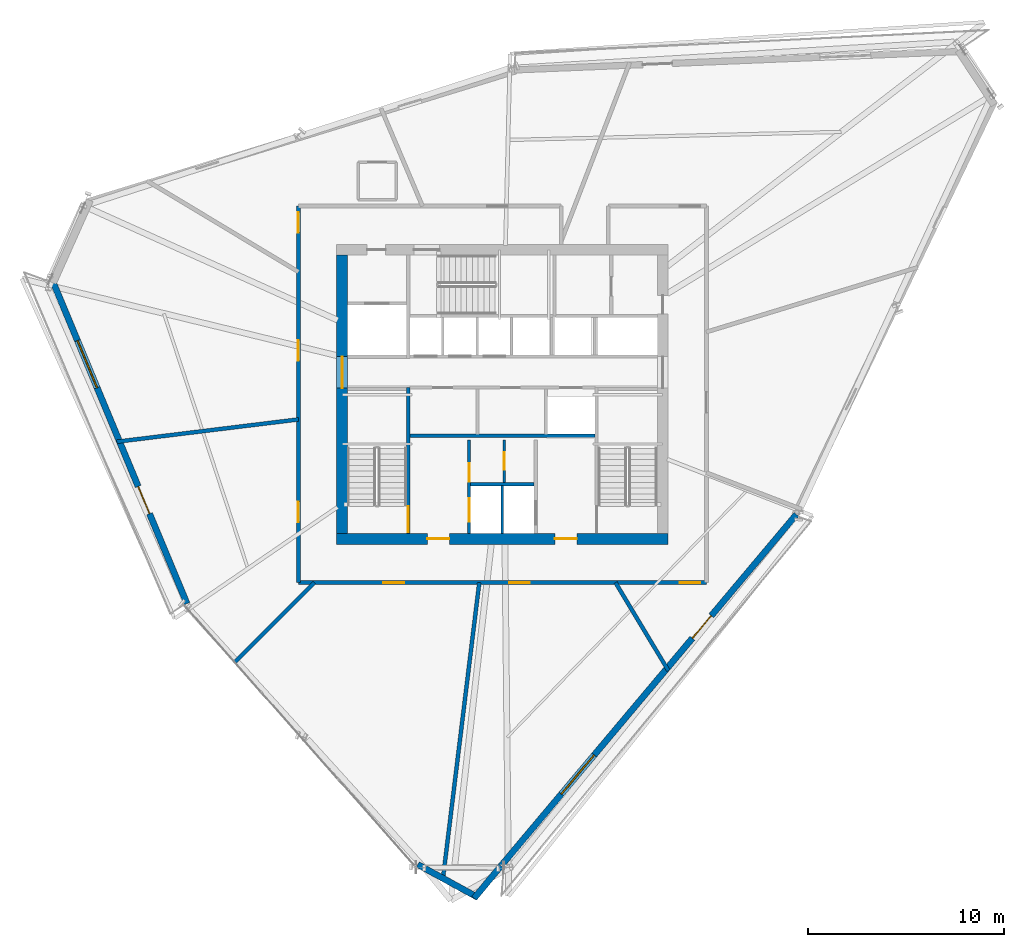
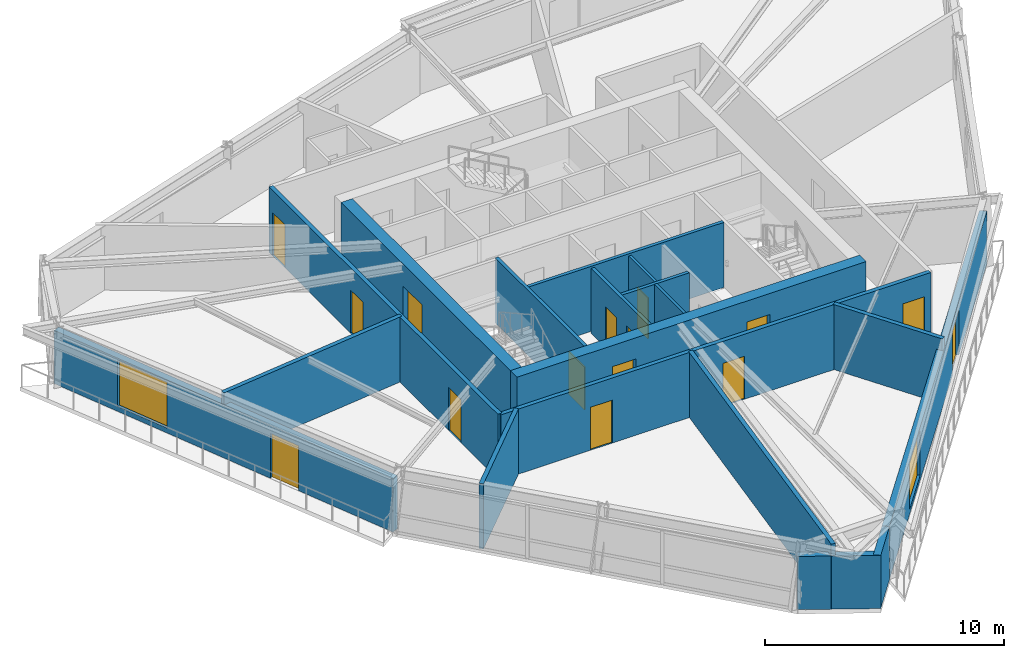
# One storey, part 8 of 13: 18 walls, 15 doors, 2 windows, 17 openings.
"""IFC4 building model written with IfcOpenShell, lengths in metres."""

from ifc_helpers import new_model, si_unit, direction, frame, frame_2d, origin, place, context, subcontext, project, spatial, rectangle, extrude, source, transform, mapped, material, layer, layer_set, type_object, type_shapes, element, fill, save


model = new_model("IFC4")

# Units and contexts
model_context = context("Model", 3, precision=1e-05, world=origin(), true_north=direction((0.0, 1.0)))
body_context = subcontext(model_context, "Body", "Model", "MODEL_VIEW")
ifc_project = project(units=[si_unit("LENGTHUNIT", "METRE"), si_unit("AREAUNIT", "SQUARE_METRE"), si_unit("VOLUMEUNIT", "CUBIC_METRE"), si_unit("PLANEANGLEUNIT", "RADIAN"), si_unit("MASSUNIT", "GRAM", prefix="KILO")], contexts=[model_context])

# Site, building, storey
site_placement = place(None, origin())
site = spatial("IfcSite", under=ifc_project, at=site_placement, CompositionType="ELEMENT")
building_placement = place(site_placement, origin())
building = spatial("IfcBuilding", under=site, at=building_placement, Name="Olszyna Solenne Hotel", CompositionType="ELEMENT")
storey_placement = place(building_placement, frame((0.0, 0.0, 171.449951171875)))
storey = spatial("IfcBuildingStorey", under=building, at=storey_placement, Name="L45", CompositionType="ELEMENT", Elevation=171.449951171875)

# Wall, openings, doors
ifc_material_1 = material(Name="Concrete C50/60", Category="concrete")
ifc_layer_1 = layer(ifc_material_1, 0.550048828125, Name="Concrete C50/60")
ifc_layer_set_1 = layer_set([ifc_layer_1], Name="Concrete C50/60")
wall_type_1 = type_object("IfcWallType", Name="WL-CR550", PredefinedType="SHEAR", material=ifc_layer_set_1)
wall_1_placement = place(storey_placement, frame((46.449951171875, 19.22509765625, 0.0), z_axis=(0.0, 0.0, 1.0), x_axis=(-1.0, 0.0, 0.0)))
wall_1 = element("IfcWall", 1, at=wall_1_placement, inside=storey, type_object=wall_type_1, Name="Core shear wall WL-CR550 CRW-L45-S", PredefinedType="SHEAR", context=body_context, shape_type="SweptSolid", body=[
    extrude(rectangle(XDim=16.89990234375, YDim=0.550048828125, at=frame_2d((8.449951171875, 0.0))), origin(), (0.0, 0.0, 1.0), 3.330078125),
])
opening_1_placement = place(wall_1_placement, frame((4.64990234375, 0.0, 0.0)))
opening_1 = element("IfcOpeningElement", 2, at=opening_1_placement, cuts=wall_1, Name="Opening FL-L45-1", PredefinedType="OPENING", context=body_context, shape_type="SweptSolid", body=[
    extrude(rectangle(XDim=1.1201171875, YDim=2.25, at=frame_2d((0.56005859375, 1.125))), frame((0.0, 0.28515625, 0.0), z_axis=(0.0, -1.0, 0.0), x_axis=(1.0, 0.0, 0.0)), (0.0, 0.0, 1.0), 0.570068359375),
])
opening_2_placement = place(wall_1_placement, frame((11.14990234375, 0.0, 0.0)))
opening_2 = element("IfcOpeningElement", 3, at=opening_2_placement, cuts=wall_1, Name="Opening FL-L45-2", PredefinedType="OPENING", context=body_context, shape_type="SweptSolid", body=[
    extrude(rectangle(XDim=1.1201171875, YDim=2.25, at=frame_2d((0.56005859375, 1.125))), frame((0.0, 0.28515625, 0.0), z_axis=(0.0, -1.0, 0.0), x_axis=(1.0, 0.0, 0.0)), (0.0, 0.0, 1.0), 0.570068359375),
])
ifc_material_2 = material(Name="Steel S355J2", Category="steel")
door_type_1 = type_object("IfcDoorType", Name="DR-FL1", OperationType="NOTDEFINED", PredefinedType="DOOR", material=ifc_material_2)
shared_shape_1 = source(origin(), body_context, "Body", "SweptSolid", [
    extrude(rectangle(XDim=1.1201171875, YDim=2.25, at=frame_2d((0.56005859375, 1.125))), frame((0.0, 0.02490234375, 0.0), z_axis=(0.0, -1.0, 0.0), x_axis=(1.0, 0.0, 0.0)), (0.0, 0.0, 1.0), 0.050048828125),
])
type_shapes(door_type_1, [shared_shape_1])
door_1_placement = place(opening_1_placement, origin())
door_1 = element("IfcDoor", 4, at=door_1_placement, inside=storey, type_object=door_type_1, Name="Firefighting lift lobby smoke door FL-L45-1", OperationType="SINGLE_SWING_LEFT", OverallHeight=2.25, OverallWidth=1.1201171875, PredefinedType="DOOR", context=body_context, shape_type="MappedRepresentation", body=[
    mapped(shared_shape_1, transform((0.0, 0.0, 0.0), x_axis=(1.0, 0.0, 0.0), y_axis=(0.0, 1.0, 0.0), z_axis=(0.0, 0.0, 1.0), scale=1.0)),
])
fill(opening_1, door_1)
door_2_placement = place(opening_2_placement, origin())
door_2 = element("IfcDoor", 5, at=door_2_placement, inside=storey, type_object=door_type_1, Name="Firefighting lift lobby smoke door FL-L45-2", OperationType="SINGLE_SWING_RIGHT", OverallHeight=2.25, OverallWidth=1.1201171875, PredefinedType="DOOR", context=body_context, shape_type="MappedRepresentation", body=[
    mapped(shared_shape_1, transform((0.0, 0.0, 0.0), x_axis=(1.0, 0.0, 0.0), y_axis=(0.0, 1.0, 0.0), z_axis=(0.0, 0.0, 1.0), scale=1.0)),
])
fill(opening_2, door_2)

# Wall, opening, door
wall_2_placement = place(storey_placement, frame((29.824951171875, 19.5, 0.0), z_axis=(0.0, 0.0, 1.0), x_axis=(0.0, 1.0, 0.0)))
wall_2 = element("IfcWall", 6, at=wall_2_placement, inside=storey, type_object=wall_type_1, Name="Core shear wall WL-CR550 CRW-L45-W", PredefinedType="SHEAR", context=body_context, shape_type="SweptSolid", body=[
    extrude(rectangle(XDim=14.199951171875, YDim=0.550048828125, at=frame_2d((7.10009765625, 0.0))), origin(), (0.0, 0.0, 1.0), 3.330078125),
])
opening_3_placement = place(wall_2_placement, frame((7.419921875, 0.0, 0.0)))
opening_3 = element("IfcOpeningElement", 7, at=opening_3_placement, cuts=wall_2, Name="Opening LHD-L45-W", PredefinedType="OPENING", context=body_context, shape_type="SweptSolid", body=[
    extrude(rectangle(XDim=1.60009765625, YDim=2.199951171875, at=frame_2d((0.800048828125, 1.10009765625))), frame((0.0, 0.28515625, 0.0), z_axis=(0.0, -1.0, 0.0), x_axis=(1.0, 0.0, 0.0)), (0.0, 0.0, 1.0), 0.570068359375),
])
ifc_material_3 = material(Name="Timber hardwood", Category="wood")
door_type_2 = type_object("IfcDoorType", Name="DR-CR1", OperationType="DOUBLE_DOOR_SINGLE_SWING", PredefinedType="DOOR", material=ifc_material_3)
shared_shape_2 = source(origin(), body_context, "Body", "SweptSolid", [
    extrude(rectangle(XDim=1.60009765625, YDim=2.199951171875, at=frame_2d((0.800048828125, 1.10009765625))), frame((0.0, 0.02490234375, 0.0), z_axis=(0.0, -1.0, 0.0), x_axis=(1.0, 0.0, 0.0)), (0.0, 0.0, 1.0), 0.050048828125),
])
type_shapes(door_type_2, [shared_shape_2])
door_3_placement = place(opening_3_placement, origin())
door_3 = element("IfcDoor", 8, at=door_3_placement, inside=storey, type_object=door_type_2, Name="Passenger lift lobby West fire door LHD-L45-W", OperationType="DOUBLE_DOOR_SINGLE_SWING", OverallHeight=2.199951171875, OverallWidth=1.60009765625, PredefinedType="DOOR", context=body_context, shape_type="MappedRepresentation", body=[
    mapped(shared_shape_2, transform((0.0, 0.0, 0.0), x_axis=(1.0, 0.0, 0.0), y_axis=(0.0, 1.0, 0.0), z_axis=(0.0, 0.0, 1.0), scale=1.0)),
])
fill(opening_3, door_3)

# Wall, openings, door, window
ifc_material_4 = material(Name="Precast concrete C45/55", Category="concrete")
ifc_layer_2 = layer(ifc_material_4, 0.320068359375, Name="Precast concrete C45/55")
ifc_layer_set_2 = layer_set([ifc_layer_2], Name="Precast concrete C45/55")
wall_type_2 = type_object("IfcWallType", Name="WL-EX320", PredefinedType="SOLIDWALL", material=ifc_layer_set_2)
wall_3_placement = place(storey_placement, frame((52.992919921875, 20.47314453125, 0.0), z_axis=(0.0, 0.0, 1.0), x_axis=(-0.643470383852, -0.765471008664, 0.0)))
wall_3 = element("IfcWall", 9, at=wall_3_placement, inside=storey, type_object=wall_type_2, Name="Exterior terracotta-precast frame wall WL-EX320 EW-L45-01", PredefinedType="SOLIDWALL", context=body_context, shape_type="SweptSolid", body=[
    extrude(rectangle(XDim=23.409423828125, YDim=0.320068359375, at=frame_2d((11.70458984375, 0.0))), origin(), (0.0, 0.0, 1.0), 2.72216796875),
])
opening_4_placement = place(wall_3_placement, frame((6.740966796875, 0.0, 0.0)))
opening_4 = element("IfcOpeningElement", 10, at=opening_4_placement, cuts=wall_3, Name="Opening LDG-L45-3", PredefinedType="OPENING", context=body_context, shape_type="SweptSolid", body=[
    extrude(rectangle(XDim=1.5, YDim=2.300048828125, at=frame_2d((0.75, 1.14990234375))), frame((0.0, 0.169921875, 0.0), z_axis=(0.0, -1.0, 0.0), x_axis=(1.0, 0.0, 0.0)), (0.0, 0.0, 1.0), 0.340087890625),
])
opening_5_placement = place(wall_3_placement, frame((16.02294921875, 0.0, 0.251953125)))
opening_5 = element("IfcOpeningElement", 11, at=opening_5_placement, cuts=wall_3, Name="Opening WN-L45-278", PredefinedType="OPENING", context=body_context, shape_type="SweptSolid", body=[
    extrude(rectangle(XDim=2.60009765625, YDim=2.35009765625, at=frame_2d((1.300048828125, 1.175048828125))), frame((0.0, 0.169921875, 0.0), z_axis=(0.0, -1.0, 0.0), x_axis=(1.0, 0.0, 0.0)), (0.0, 0.0, 1.0), 0.340087890625),
])
ifc_material_5 = material(Name="Anodised bronze aluminium", Category="aluminium")
door_type_3 = type_object("IfcDoorType", Name="DR-LG2", OperationType="DOUBLE_DOOR_SINGLE_SWING", PredefinedType="DOOR", material=ifc_material_5)
shared_shape_3 = source(origin(), body_context, "Body", "SweptSolid", [
    extrude(rectangle(XDim=1.5, YDim=2.300048828125, at=frame_2d((0.75, 1.14990234375))), frame((0.0, 0.02490234375, 0.0), z_axis=(0.0, -1.0, 0.0), x_axis=(1.0, 0.0, 0.0)), (0.0, 0.0, 1.0), 0.050048828125),
])
type_shapes(door_type_3, [shared_shape_3])
door_4_placement = place(opening_4_placement, origin())
door_4 = element("IfcDoor", 12, at=door_4_placement, inside=storey, type_object=door_type_3, Name="Exterior loggia balcony door DR-LG2 LDG-L45-3", OperationType="DOUBLE_DOOR_SINGLE_SWING", OverallHeight=2.300048828125, OverallWidth=1.5, PredefinedType="DOOR", context=body_context, shape_type="MappedRepresentation", body=[
    mapped(shared_shape_3, transform((0.0, 0.0, 0.0), x_axis=(1.0, 0.0, 0.0), y_axis=(0.0, 1.0, 0.0), z_axis=(0.0, 0.0, 1.0), scale=1.0)),
])
fill(opening_4, door_4)
ifc_material_6 = material(Name="Low-E triple glazing", Category="glass")
window_type = type_object("IfcWindowType", Name="WN-ST1", PartitioningType="SINGLE_PANEL", PredefinedType="WINDOW", material=ifc_material_6)
shared_shape_4 = source(origin(), body_context, "Body", "SweptSolid", [
    extrude(rectangle(XDim=2.60009765625, YDim=2.35009765625, at=frame_2d((1.300048828125, 1.175048828125))), frame((0.0, 0.030029296875, 0.0), z_axis=(0.0, -1.0, 0.0), x_axis=(1.0, 0.0, 0.0)), (0.0, 0.0, 1.0), 0.06005859375),
])
type_shapes(window_type, [shared_shape_4])
window_1_placement = place(opening_5_placement, origin())
window_1 = element("IfcWindow", 13, at=window_1_placement, inside=storey, type_object=window_type, Name="Loggia room window WN-ST1 WN-L45-278", OverallHeight=2.35009765625, OverallWidth=2.60009765625, PartitioningType="SINGLE_PANEL", PredefinedType="WINDOW", context=body_context, shape_type="MappedRepresentation", body=[
    mapped(shared_shape_4, transform((0.0, 0.0, 0.0), x_axis=(1.0, 0.0, 0.0), y_axis=(0.0, 1.0, 0.0), z_axis=(0.0, 0.0, 1.0), scale=1.0)),
])
fill(opening_5, window_1)

# Walls
wall_4_placement = place(storey_placement, frame((37.92919921875, 2.55322265625, 0.0), z_axis=(0.0, 0.0, 1.0), x_axis=(-0.639311542503, -0.768947821132, 0.0)))
element("IfcWall", 14, at=wall_4_placement, inside=storey, type_object=wall_type_2, Name="Exterior terracotta-precast frame wall WL-EX320 EW-L45-02", PredefinedType="SOLIDWALL", context=body_context, shape_type="SweptSolid", body=[
    extrude(rectangle(XDim=2.14697265625, YDim=0.320068359375, at=frame_2d((1.073486328125, 0.0))), origin(), (0.0, 0.0, 1.0), 2.72216796875),
])
wall_5_placement = place(storey_placement, frame((36.756591796875, 0.940185546875, 0.0), z_axis=(0.0, 0.0, 1.0), x_axis=(-0.877100463221, 0.480306961659, 0.0)))
element("IfcWall", 15, at=wall_5_placement, inside=storey, type_object=wall_type_2, Name="Exterior terracotta-precast frame wall WL-EX320 EW-L45-03", PredefinedType="SOLIDWALL", context=body_context, shape_type="SweptSolid", body=[
    extrude(rectangle(XDim=3.502197265625, YDim=0.320068359375, at=frame_2d((1.7509765625, 0.0))), origin(), (0.0, 0.0, 1.0), 2.72216796875),
])

# Wall, openings, door, window
wall_6_placement = place(storey_placement, frame((21.9130859375, 15.928466796875, 0.0), z_axis=(0.0, 0.0, 1.0), x_axis=(-0.384327280835, 0.92319691356, 0.0)))
wall_6 = element("IfcWall", 16, at=wall_6_placement, inside=storey, type_object=wall_type_2, Name="Exterior terracotta-precast frame wall WL-EX320 EW-L45-05", PredefinedType="SOLIDWALL", context=body_context, shape_type="SweptSolid", body=[
    extrude(rectangle(XDim=17.871826171875, YDim=0.320068359375, at=frame_2d((8.93603515625, 0.0))), origin(), (0.0, 0.0, 1.0), 2.72216796875),
])
opening_6_placement = place(wall_6_placement, frame((4.968994140625, 0.0, 0.0)))
opening_6 = element("IfcOpeningElement", 17, at=opening_6_placement, cuts=wall_6, Name="Opening LDG-L45-2", PredefinedType="OPENING", context=body_context, shape_type="SweptSolid", body=[
    extrude(rectangle(XDim=1.5, YDim=2.300048828125, at=frame_2d((0.75, 1.14990234375))), frame((0.0, 0.169921875, 0.0), z_axis=(0.0, -1.0, 0.0), x_axis=(1.0, 0.0, 0.0)), (0.0, 0.0, 1.0), 0.340087890625),
])
opening_7_placement = place(wall_6_placement, frame((11.925048828125, 0.0, 0.251953125)))
opening_7 = element("IfcOpeningElement", 18, at=opening_7_placement, cuts=wall_6, Name="Opening WN-L45-279", PredefinedType="OPENING", context=body_context, shape_type="SweptSolid", body=[
    extrude(rectangle(XDim=2.60009765625, YDim=2.35009765625, at=frame_2d((1.300048828125, 1.175048828125))), frame((0.0, 0.169921875, 0.0), z_axis=(0.0, -1.0, 0.0), x_axis=(1.0, 0.0, 0.0)), (0.0, 0.0, 1.0), 0.340087890625),
])
door_5_placement = place(opening_6_placement, origin())
door_5 = element("IfcDoor", 19, at=door_5_placement, inside=storey, type_object=door_type_3, Name="Exterior loggia balcony door DR-LG2 LDG-L45-2", OperationType="DOUBLE_DOOR_SINGLE_SWING", OverallHeight=2.300048828125, OverallWidth=1.5, PredefinedType="DOOR", context=body_context, shape_type="MappedRepresentation", body=[
    mapped(shared_shape_3, transform((0.0, 0.0, 0.0), x_axis=(1.0, 0.0, 0.0), y_axis=(0.0, 1.0, 0.0), z_axis=(0.0, 0.0, 1.0), scale=1.0)),
])
fill(opening_6, door_5)
window_2_placement = place(opening_7_placement, origin())
window_2 = element("IfcWindow", 20, at=window_2_placement, inside=storey, type_object=window_type, Name="Loggia room window WN-ST1 WN-L45-279", OverallHeight=2.35009765625, OverallWidth=2.60009765625, PartitioningType="SINGLE_PANEL", PredefinedType="WINDOW", context=body_context, shape_type="MappedRepresentation", body=[
    mapped(shared_shape_4, transform((0.0, 0.0, 0.0), x_axis=(1.0, 0.0, 0.0), y_axis=(0.0, 1.0, 0.0), z_axis=(0.0, 0.0, 1.0), scale=1.0)),
])
fill(opening_7, window_2)

# Wall
ifc_material_7 = material(Name="Acoustic gypsum partition", Category="gypsum")
ifc_layer_3 = layer(ifc_material_7, 0.125, Name="Acoustic gypsum partition")
ifc_layer_set_3 = layer_set([ifc_layer_3], Name="Acoustic gypsum partition")
wall_type_3 = type_object("IfcWallType", Name="WL-PT125", PredefinedType="PARTITIONING", material=ifc_layer_set_3)
wall_7_placement = place(storey_placement, frame((38.0, 19.5, 0.0), z_axis=(0.0, 0.0, 1.0), x_axis=(0.0, 1.0, 0.0)))
element("IfcWall", 21, at=wall_7_placement, inside=storey, type_object=wall_type_3, Name="Core shaft compartment wall CW-L45-FFM", PredefinedType="PARTITIONING", context=body_context, shape_type="SweptSolid", body=[
    extrude(rectangle(XDim=2.4599609375, YDim=0.125, at=frame_2d((1.22998046875, 0.0))), origin(), (0.0, 0.0, 1.0), 3.330078125),
])

# Wall, opening, door
wall_8_placement = place(storey_placement, frame((38.10009765625, 22.10009765625, 0.0), z_axis=(0.0, 0.0, 1.0), x_axis=(0.0, 1.0, 0.0)))
wall_8 = element("IfcWall", 22, at=wall_8_placement, inside=storey, type_object=wall_type_3, Name="Core shaft compartment wall CW-L45-SC1", PredefinedType="PARTITIONING", context=body_context, shape_type="SweptSolid", body=[
    extrude(rectangle(XDim=2.179931640625, YDim=0.125, at=frame_2d((1.08984375, 0.0))), origin(), (0.0, 0.0, 1.0), 3.330078125),
])
opening_8_placement = place(wall_8_placement, frame((0.64990234375, 0.0, 0.0)))
opening_8 = element("IfcOpeningElement", 23, at=opening_8_placement, cuts=wall_8, Name="Opening SVD-L45-SC1", PredefinedType="OPENING", context=body_context, shape_type="SweptSolid", body=[
    extrude(rectangle(XDim=0.89990234375, YDim=2.10009765625, at=frame_2d((0.449951171875, 1.050048828125))), frame((0.0, 0.072509765625, 0.0), z_axis=(0.0, -1.0, 0.0), x_axis=(1.0, 0.0, 0.0)), (0.0, 0.0, 1.0), 0.14501953125),
])
door_type_4 = type_object("IfcDoorType", Name="DR-WC1", OperationType="NOTDEFINED", PredefinedType="DOOR", material=ifc_material_3)
shared_shape_5 = source(origin(), body_context, "Body", "SweptSolid", [
    extrude(rectangle(XDim=0.89990234375, YDim=2.10009765625, at=frame_2d((0.449951171875, 1.050048828125))), frame((0.0, 0.02490234375, 0.0), z_axis=(0.0, -1.0, 0.0), x_axis=(1.0, 0.0, 0.0)), (0.0, 0.0, 1.0), 0.050048828125),
])
type_shapes(door_type_4, [shared_shape_5])
door_6_placement = place(opening_8_placement, origin())
door_6 = element("IfcDoor", 24, at=door_6_placement, inside=storey, type_object=door_type_4, Name="Pantry locker door SVD-L45-SC1", OperationType="SINGLE_SWING_LEFT", OverallHeight=2.10009765625, OverallWidth=0.89990234375, PredefinedType="DOOR", context=body_context, shape_type="MappedRepresentation", body=[
    mapped(shared_shape_5, transform((0.0, 0.0, 0.0), x_axis=(1.0, 0.0, 0.0), y_axis=(0.0, 1.0, 0.0), z_axis=(0.0, 0.0, 1.0), scale=1.0)),
])
fill(opening_8, door_6)

ifc_layer_4 = layer(ifc_material_7, 0.159912109375, Name="Acoustic gypsum partition")
ifc_layer_set_4 = layer_set([ifc_layer_4], Name="Acoustic gypsum partition")
wall_type_4 = type_object("IfcWallType", Name="WL-PT160", PredefinedType="PARTITIONING", material=ifc_layer_set_4)
wall_9_placement = place(storey_placement, frame((33.199951171875, 19.5, 0.0), z_axis=(0.0, 0.0, 1.0), x_axis=(0.0, 1.0, 0.0)))
wall_9 = element("IfcWall", 25, at=wall_9_placement, inside=storey, type_object=wall_type_4, Name="Core shaft compartment wall CW-L45-ST1E", PredefinedType="PARTITIONING", context=body_context, shape_type="SweptSolid", body=[
    extrude(rectangle(XDim=7.4599609375, YDim=0.159912109375, at=frame_2d((3.72998046875, 0.0))), origin(), (0.0, 0.0, 1.0), 3.330078125),
])
opening_9_placement = place(wall_9_placement, frame((0.080078125, 0.0, 0.0)))
opening_9 = element("IfcOpeningElement", 26, at=opening_9_placement, cuts=wall_9, Name="Opening STD-L45-01", PredefinedType="OPENING", context=body_context, shape_type="SweptSolid", body=[
    extrude(rectangle(XDim=1.320068359375, YDim=2.199951171875, at=frame_2d((0.66015625, 1.10009765625))), frame((0.0, 0.08984375, 0.0), z_axis=(0.0, -1.0, 0.0), x_axis=(1.0, 0.0, 0.0)), (0.0, 0.0, 1.0), 0.179931640625),
])
door_type_5 = type_object("IfcDoorType", Name="DR-ST1", OperationType="NOTDEFINED", PredefinedType="DOOR", material=ifc_material_2)
shared_shape_6 = source(origin(), body_context, "Body", "SweptSolid", [
    extrude(rectangle(XDim=1.320068359375, YDim=2.199951171875, at=frame_2d((0.66015625, 1.10009765625))), frame((0.0, 0.02490234375, 0.0), z_axis=(0.0, -1.0, 0.0), x_axis=(1.0, 0.0, 0.0)), (0.0, 0.0, 1.0), 0.050048828125),
])
type_shapes(door_type_5, [shared_shape_6])
door_7_placement = place(opening_9_placement, origin())
door_7 = element("IfcDoor", 27, at=door_7_placement, inside=storey, type_object=door_type_5, Name="Pressurised exit stair ST1 fire door STD-L45-01", OperationType="SINGLE_SWING_LEFT", OverallHeight=2.199951171875, OverallWidth=1.320068359375, PredefinedType="DOOR", context=body_context, shape_type="MappedRepresentation", body=[
    mapped(shared_shape_6, transform((0.0, 0.0, 0.0), x_axis=(1.0, 0.0, 0.0), y_axis=(0.0, 1.0, 0.0), z_axis=(0.0, 0.0, 1.0), scale=1.0)),
])
fill(opening_9, door_7)

# Wall, openings, doors
wall_10_placement = place(storey_placement, frame((36.300048828125, 19.5, 0.0), z_axis=(0.0, 0.0, 1.0), x_axis=(0.0, 1.0, 0.0)))
wall_10 = element("IfcWall", 28, at=wall_10_placement, inside=storey, type_object=wall_type_4, Name="Core shaft compartment wall CW-L45-FF1W", PredefinedType="PARTITIONING", context=body_context, shape_type="SweptSolid", body=[
    extrude(rectangle(XDim=4.780029296875, YDim=0.159912109375, at=frame_2d((2.39013671875, 0.0))), origin(), (0.0, 0.0, 1.0), 3.330078125),
])
opening_10_placement = place(wall_10_placement, frame((0.60009765625, 0.0, 0.0)))
opening_10 = element("IfcOpeningElement", 29, at=opening_10_placement, cuts=wall_10, Name="Opening LD-L45-FF1", PredefinedType="OPENING", context=body_context, shape_type="SweptSolid", body=[
    extrude(rectangle(XDim=1.199951171875, YDim=2.199951171875, at=frame_2d((0.60009765625, 1.10009765625))), frame((0.0, 0.08984375, 0.0), z_axis=(0.0, -1.0, 0.0), x_axis=(1.0, 0.0, 0.0)), (0.0, 0.0, 1.0), 0.179931640625),
])
opening_11_placement = place(wall_10_placement, frame((2.64990234375, 0.0, 0.0)))
opening_11 = element("IfcOpeningElement", 30, at=opening_11_placement, cuts=wall_10, Name="Opening SVD-L45-SMK", PredefinedType="OPENING", context=body_context, shape_type="SweptSolid", body=[
    extrude(rectangle(XDim=0.949951171875, YDim=2.10009765625, at=frame_2d((0.47509765625, 1.050048828125))), frame((0.0, 0.08984375, 0.0), z_axis=(0.0, -1.0, 0.0), x_axis=(1.0, 0.0, 0.0)), (0.0, 0.0, 1.0), 0.179931640625),
])
door_type_6 = type_object("IfcDoorType", Name="DR-SV1", OperationType="NOTDEFINED", PredefinedType="DOOR", material=ifc_material_2)
shared_shape_7 = source(origin(), body_context, "Body", "SweptSolid", [
    extrude(rectangle(XDim=0.949951171875, YDim=2.10009765625, at=frame_2d((0.47509765625, 1.050048828125))), frame((0.0, 0.02490234375, 0.0), z_axis=(0.0, -1.0, 0.0), x_axis=(1.0, 0.0, 0.0)), (0.0, 0.0, 1.0), 0.050048828125),
])
type_shapes(door_type_6, [shared_shape_7])
door_8_placement = place(opening_11_placement, origin())
door_8 = element("IfcDoor", 31, at=door_8_placement, inside=storey, type_object=door_type_6, Name="Valet and core service room door SVD-L45-SMK", OperationType="SINGLE_SWING_LEFT", OverallHeight=2.10009765625, OverallWidth=0.949951171875, PredefinedType="DOOR", context=body_context, shape_type="MappedRepresentation", body=[
    mapped(shared_shape_7, transform((0.0, 0.0, 0.0), x_axis=(1.0, 0.0, 0.0), y_axis=(0.0, 1.0, 0.0), z_axis=(0.0, 0.0, 1.0), scale=1.0)),
])
fill(opening_11, door_8)
door_type_7 = type_object("IfcDoorType", Name="LD-FF1", OperationType="DOUBLE_DOOR_SLIDING", PredefinedType="DOOR", material=ifc_material_2)
shared_shape_8 = source(origin(), body_context, "Body", "SweptSolid", [
    extrude(rectangle(XDim=1.199951171875, YDim=2.199951171875, at=frame_2d((0.60009765625, 1.10009765625))), frame((0.0, 0.02490234375, 0.0), z_axis=(0.0, -1.0, 0.0), x_axis=(1.0, 0.0, 0.0)), (0.0, 0.0, 1.0), 0.050048828125),
])
type_shapes(door_type_7, [shared_shape_8])
door_9_placement = place(opening_10_placement, origin())
door_9 = element("IfcDoor", 32, at=door_9_placement, inside=storey, type_object=door_type_7, Name="Firefighters lift FF1 sliding landing door LD-L45-FF1", OperationType="DOUBLE_DOOR_SLIDING", OverallHeight=2.199951171875, OverallWidth=1.199951171875, PredefinedType="DOOR", context=body_context, shape_type="MappedRepresentation", body=[
    mapped(shared_shape_8, transform((0.0, 0.0, 0.0), x_axis=(1.0, 0.0, 0.0), y_axis=(0.0, 1.0, 0.0), z_axis=(0.0, 0.0, 1.0), scale=1.0)),
])
fill(opening_10, door_9)

# Walls
wall_11_placement = place(storey_placement, frame((36.3798828125, 22.02001953125, 0.0), z_axis=(0.0, 0.0, 1.0), x_axis=(1.0, 0.0, 0.0)))
element("IfcWall", 33, at=wall_11_placement, inside=storey, type_object=wall_type_4, Name="Core shaft compartment wall CW-L45-FFN", PredefinedType="PARTITIONING", context=body_context, shape_type="SweptSolid", body=[
    extrude(rectangle(XDim=3.240234375, YDim=0.159912109375, at=frame_2d((1.6201171875, 0.0))), origin(), (0.0, 0.0, 1.0), 3.330078125),
])
wall_12_placement = place(storey_placement, frame((33.280029296875, 24.489990234375, 0.0), z_axis=(0.0, 0.0, 1.0), x_axis=(1.0, 0.0, 0.0)))
element("IfcWall", 34, at=wall_12_placement, inside=storey, type_object=wall_type_4, Name="Core shaft compartment wall CW-L45-FFBN", PredefinedType="PARTITIONING", context=body_context, shape_type="SweptSolid", body=[
    extrude(rectangle(XDim=9.43994140625, YDim=0.159912109375, at=frame_2d((4.719970703125, 0.0))), origin(), (0.0, 0.0, 1.0), 3.330078125),
])
ifc_layer_5 = layer(ifc_material_7, 0.199951171875, Name="Acoustic gypsum partition")
ifc_layer_set_5 = layer_set([ifc_layer_5], Name="Acoustic gypsum partition")
wall_type_5 = type_object("IfcWallType", Name="WL-PT200", PredefinedType="PARTITIONING", material=ifc_layer_set_5)
wall_13_placement = place(storey_placement, frame((27.60009765625, 25.322998046875, 0.0), z_axis=(0.0, 0.0, 1.0), x_axis=(-0.99254512054, -0.121877740757, 0.0)))
element("IfcWall", 35, at=wall_13_placement, inside=storey, type_object=wall_type_5, Name="Interior acoustic partition WL-PT200 PW-L45-2521", PredefinedType="PARTITIONING", context=body_context, shape_type="SweptSolid", body=[
    extrude(rectangle(XDim=9.334716796875, YDim=0.199951171875, at=frame_2d((4.66748046875, 0.0))), origin(), (0.0, 0.0, 1.0), 3.330078125),
])
wall_14_placement = place(storey_placement, frame((28.39990234375, 17.0, 0.0), z_axis=(0.0, 0.0, 1.0), x_axis=(-0.707085365714, -0.707128196011, 0.0)))
element("IfcWall", 36, at=wall_14_placement, inside=storey, type_object=wall_type_5, Name="Interior acoustic partition WL-PT200 PW-L45-2522", PredefinedType="PARTITIONING", context=body_context, shape_type="SweptSolid", body=[
    extrude(rectangle(XDim=5.7001953125, YDim=0.199951171875, at=frame_2d((2.85009765625, 0.0))), origin(), (0.0, 0.0, 1.0), 3.330078125),
])
wall_15_placement = place(storey_placement, frame((36.8212890625, 17.0, 0.0), z_axis=(0.0, 0.0, 1.0), x_axis=(-0.121875066748, -0.992545448886, 0.0)))
element("IfcWall", 37, at=wall_15_placement, inside=storey, type_object=wall_type_5, Name="Interior acoustic partition WL-PT200 PW-L45-2523", PredefinedType="PARTITIONING", context=body_context, shape_type="SweptSolid", body=[
    extrude(rectangle(XDim=15.33447265625, YDim=0.199951171875, at=frame_2d((7.667236328125, 0.0))), origin(), (0.0, 0.0, 1.0), 3.330078125),
])
wall_16_placement = place(storey_placement, frame((43.768310546875, 17.0, 0.0), z_axis=(0.0, 0.0, 1.0), x_axis=(0.515030046978, -0.857172124319, 0.0)))
element("IfcWall", 38, at=wall_16_placement, inside=storey, type_object=wall_type_5, Name="Interior acoustic partition WL-PT200 PW-L45-2524", PredefinedType="PARTITIONING", context=body_context, shape_type="SweptSolid", body=[
    extrude(rectangle(XDim=5.240478515625, YDim=0.199951171875, at=frame_2d((2.6201171875, 0.0))), origin(), (0.0, 0.0, 1.0), 3.330078125),
])

# Wall, openings, doors
wall_17_placement = place(storey_placement, frame((27.60009765625, 17.0, 0.0), z_axis=(0.0, 0.0, 1.0), x_axis=(1.0, 0.0, 0.0)))
wall_17 = element("IfcWall", 39, at=wall_17_placement, inside=storey, type_object=wall_type_5, Name="Interior acoustic partition WL-PT200 PW-L45-2533", PredefinedType="PARTITIONING", context=body_context, shape_type="SweptSolid", body=[
    extrude(rectangle(XDim=20.7998046875, YDim=0.199951171875, at=frame_2d((10.39990234375, 0.0))), origin(), (0.0, 0.0, 1.0), 3.330078125),
])
opening_12_placement = place(wall_17_placement, frame((4.333984375, 0.0, 0.0)))
opening_12 = element("IfcOpeningElement", 40, at=opening_12_placement, cuts=wall_17, Name="Opening DR-L45-0608", PredefinedType="OPENING", context=body_context, shape_type="SweptSolid", body=[
    extrude(rectangle(XDim=1.050048828125, YDim=2.199951171875, at=frame_2d((0.52490234375, 1.10009765625))), frame((0.0, 0.10986328125, 0.0), z_axis=(0.0, -1.0, 0.0), x_axis=(1.0, 0.0, 0.0)), (0.0, 0.0, 1.0), 0.219970703125),
])
opening_13_placement = place(wall_17_placement, frame((10.739013671875, 0.0, 0.0)))
opening_13 = element("IfcOpeningElement", 41, at=opening_13_placement, cuts=wall_17, Name="Opening DR-L45-0609", PredefinedType="OPENING", context=body_context, shape_type="SweptSolid", body=[
    extrude(rectangle(XDim=1.050048828125, YDim=2.199951171875, at=frame_2d((0.52490234375, 1.10009765625))), frame((0.0, 0.10986328125, 0.0), z_axis=(0.0, -1.0, 0.0), x_axis=(1.0, 0.0, 0.0)), (0.0, 0.0, 1.0), 0.219970703125),
])
opening_14_placement = place(wall_17_placement, frame((19.449951171875, 0.0, 0.0)))
opening_14 = element("IfcOpeningElement", 42, at=opening_14_placement, cuts=wall_17, Name="Opening DR-L45-0610", PredefinedType="OPENING", context=body_context, shape_type="SweptSolid", body=[
    extrude(rectangle(XDim=1.050048828125, YDim=2.199951171875, at=frame_2d((0.52490234375, 1.10009765625))), frame((0.0, 0.10986328125, 0.0), z_axis=(0.0, -1.0, 0.0), x_axis=(1.0, 0.0, 0.0)), (0.0, 0.0, 1.0), 0.219970703125),
])
door_type_8 = type_object("IfcDoorType", Name="DR-RM2", OperationType="NOTDEFINED", PredefinedType="DOOR", material=ifc_material_3)
shared_shape_9 = source(origin(), body_context, "Body", "SweptSolid", [
    extrude(rectangle(XDim=1.050048828125, YDim=2.199951171875, at=frame_2d((0.52490234375, 1.10009765625))), frame((0.0, 0.02490234375, 0.0), z_axis=(0.0, -1.0, 0.0), x_axis=(1.0, 0.0, 0.0)), (0.0, 0.0, 1.0), 0.050048828125),
])
type_shapes(door_type_8, [shared_shape_9])
door_10_placement = place(opening_12_placement, origin())
door_10 = element("IfcDoor", 43, at=door_10_placement, inside=storey, type_object=door_type_8, Name="Private Business Office Entrance Door DR-L45-0608", OperationType="SINGLE_SWING_RIGHT", OverallHeight=2.199951171875, OverallWidth=1.050048828125, PredefinedType="DOOR", context=body_context, shape_type="MappedRepresentation", body=[
    mapped(shared_shape_9, transform((0.0, 0.0, 0.0), x_axis=(1.0, 0.0, 0.0), y_axis=(0.0, 1.0, 0.0), z_axis=(0.0, 0.0, 1.0), scale=1.0)),
])
fill(opening_12, door_10)
door_11_placement = place(opening_13_placement, origin())
door_11 = element("IfcDoor", 44, at=door_11_placement, inside=storey, type_object=door_type_8, Name="Private Business Office Entrance Door DR-L45-0609", OperationType="SINGLE_SWING_LEFT", OverallHeight=2.199951171875, OverallWidth=1.050048828125, PredefinedType="DOOR", context=body_context, shape_type="MappedRepresentation", body=[
    mapped(shared_shape_9, transform((0.0, 0.0, 0.0), x_axis=(1.0, 0.0, 0.0), y_axis=(0.0, 1.0, 0.0), z_axis=(0.0, 0.0, 1.0), scale=1.0)),
])
fill(opening_13, door_11)
door_12_placement = place(opening_14_placement, origin())
door_12 = element("IfcDoor", 45, at=door_12_placement, inside=storey, type_object=door_type_8, Name="Private Business Office Entrance Door DR-L45-0610", OperationType="SINGLE_SWING_RIGHT", OverallHeight=2.199951171875, OverallWidth=1.050048828125, PredefinedType="DOOR", context=body_context, shape_type="MappedRepresentation", body=[
    mapped(shared_shape_9, transform((0.0, 0.0, 0.0), x_axis=(1.0, 0.0, 0.0), y_axis=(0.0, 1.0, 0.0), z_axis=(0.0, 0.0, 1.0), scale=1.0)),
])
fill(opening_14, door_12)

wall_18_placement = place(storey_placement, frame((27.60009765625, 17.0, 0.0), z_axis=(0.0, 0.0, 1.0), x_axis=(0.0, 1.0, 0.0)))
wall_18 = element("IfcWall", 46, at=wall_18_placement, inside=storey, type_object=wall_type_5, Name="Interior acoustic partition WL-PT200 PW-L45-2534", PredefinedType="PARTITIONING", context=body_context, shape_type="SweptSolid", body=[
    extrude(rectangle(XDim=19.199951171875, YDim=0.199951171875, at=frame_2d((9.60009765625, 0.0))), origin(), (0.0, 0.0, 1.0), 3.330078125),
])
opening_15_placement = place(wall_18_placement, frame((11.31103515625, 0.0, 0.0)))
opening_15 = element("IfcOpeningElement", 47, at=opening_15_placement, cuts=wall_18, Name="Opening DR-L45-0611", PredefinedType="OPENING", context=body_context, shape_type="SweptSolid", body=[
    extrude(rectangle(XDim=1.050048828125, YDim=2.199951171875, at=frame_2d((0.52490234375, 1.10009765625))), frame((0.0, 0.10986328125, 0.0), z_axis=(0.0, -1.0, 0.0), x_axis=(1.0, 0.0, 0.0)), (0.0, 0.0, 1.0), 0.219970703125),
])
opening_16_placement = place(wall_18_placement, frame((3.0869140625, 0.0, 0.0)))
opening_16 = element("IfcOpeningElement", 48, at=opening_16_placement, cuts=wall_18, Name="Opening DR-L45-0612", PredefinedType="OPENING", context=body_context, shape_type="SweptSolid", body=[
    extrude(rectangle(XDim=1.050048828125, YDim=2.199951171875, at=frame_2d((0.52490234375, 1.10009765625))), frame((0.0, 0.10986328125, 0.0), z_axis=(0.0, -1.0, 0.0), x_axis=(1.0, 0.0, 0.0)), (0.0, 0.0, 1.0), 0.219970703125),
])
opening_17_placement = place(wall_18_placement, frame((17.85009765625, 0.0, 0.0)))
opening_17 = element("IfcOpeningElement", 49, at=opening_17_placement, cuts=wall_18, Name="Opening DR-L45-0613", PredefinedType="OPENING", context=body_context, shape_type="SweptSolid", body=[
    extrude(rectangle(XDim=1.050048828125, YDim=2.199951171875, at=frame_2d((0.52490234375, 1.10009765625))), frame((0.0, 0.10986328125, 0.0), z_axis=(0.0, -1.0, 0.0), x_axis=(1.0, 0.0, 0.0)), (0.0, 0.0, 1.0), 0.219970703125),
])
door_13_placement = place(opening_15_placement, origin())
door_13 = element("IfcDoor", 50, at=door_13_placement, inside=storey, type_object=door_type_8, Name="Private Business Office Entrance Door DR-L45-0611", OperationType="SINGLE_SWING_RIGHT", OverallHeight=2.199951171875, OverallWidth=1.050048828125, PredefinedType="DOOR", context=body_context, shape_type="MappedRepresentation", body=[
    mapped(shared_shape_9, transform((0.0, 0.0, 0.0), x_axis=(1.0, 0.0, 0.0), y_axis=(0.0, 1.0, 0.0), z_axis=(0.0, 0.0, 1.0), scale=1.0)),
])
fill(opening_15, door_13)
door_14_placement = place(opening_16_placement, origin())
door_14 = element("IfcDoor", 51, at=door_14_placement, inside=storey, type_object=door_type_8, Name="Private Business Office Entrance Door DR-L45-0612", OperationType="SINGLE_SWING_LEFT", OverallHeight=2.199951171875, OverallWidth=1.050048828125, PredefinedType="DOOR", context=body_context, shape_type="MappedRepresentation", body=[
    mapped(shared_shape_9, transform((0.0, 0.0, 0.0), x_axis=(1.0, 0.0, 0.0), y_axis=(0.0, 1.0, 0.0), z_axis=(0.0, 0.0, 1.0), scale=1.0)),
])
fill(opening_16, door_14)
door_15_placement = place(opening_17_placement, origin())
door_15 = element("IfcDoor", 52, at=door_15_placement, inside=storey, type_object=door_type_8, Name="Executive Reading Salon Entrance Door DR-L45-0613", OperationType="SINGLE_SWING_RIGHT", OverallHeight=2.199951171875, OverallWidth=1.050048828125, PredefinedType="DOOR", context=body_context, shape_type="MappedRepresentation", body=[
    mapped(shared_shape_9, transform((0.0, 0.0, 0.0), x_axis=(1.0, 0.0, 0.0), y_axis=(0.0, 1.0, 0.0), z_axis=(0.0, 0.0, 1.0), scale=1.0)),
])
fill(opening_17, door_15)

save(model, "model.ifc")
